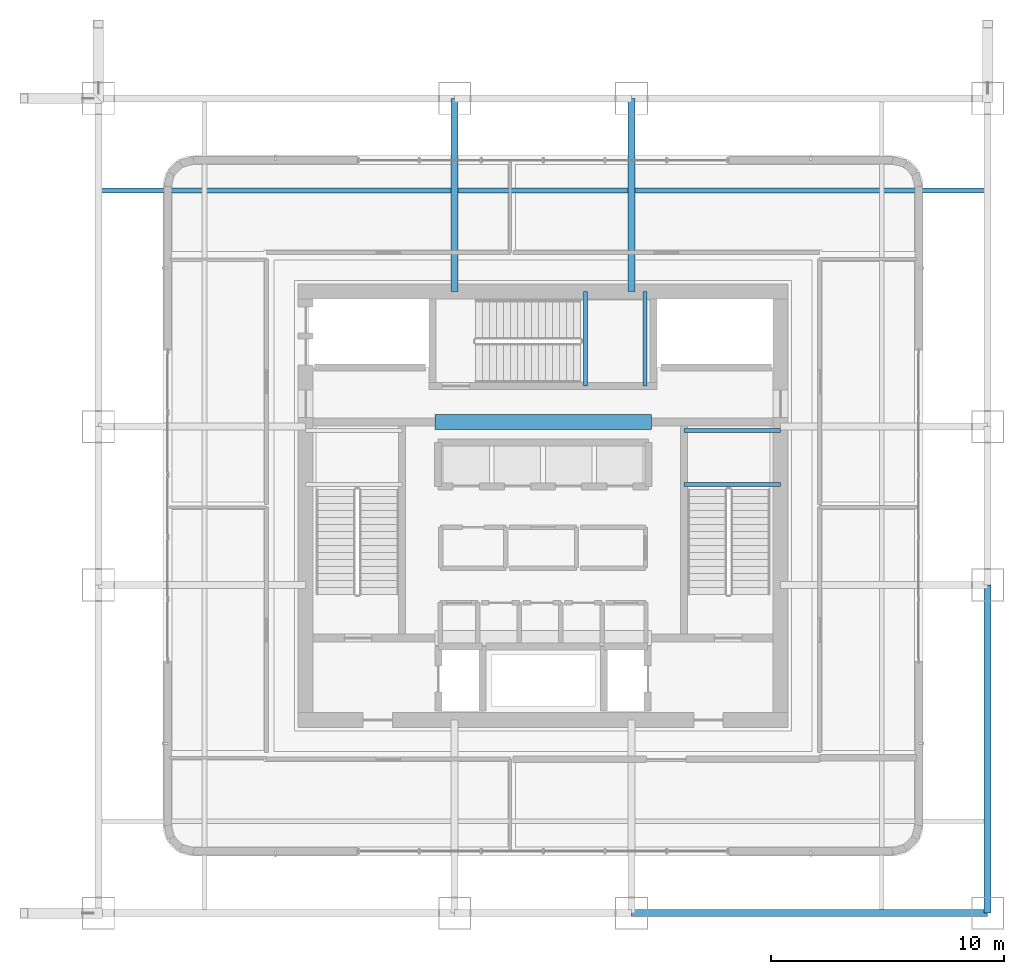
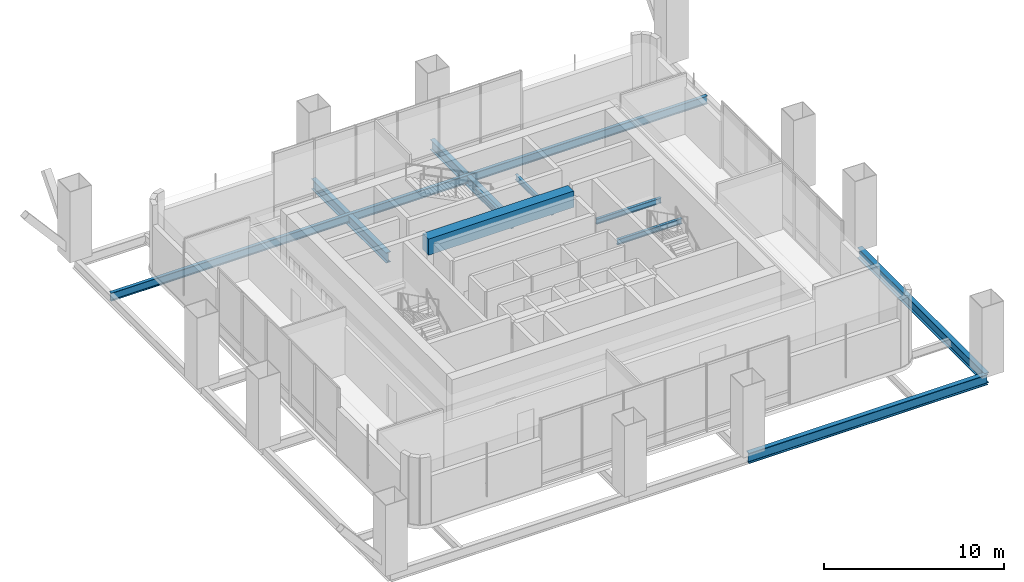
# One storey, part 9 of 30: 10 beams.
"""IFC4 building model written with IfcOpenShell, lengths in metres."""

from ifc_helpers import new_model, si_unit, direction, frame, origin, origin_2d, place, context, subcontext, project, spatial, rectangle, i_section, extrude, material, material_profile, profile_set, type_object, element, save


model = new_model("IFC4")

# Units and contexts
model_context = context("Model", 3, precision=1e-05, world=origin(), true_north=direction((0.0, 1.0)))
body_context = subcontext(model_context, "Body", "Model", "MODEL_VIEW")
ifc_project = project(units=[si_unit("LENGTHUNIT", "METRE"), si_unit("AREAUNIT", "SQUARE_METRE"), si_unit("VOLUMEUNIT", "CUBIC_METRE"), si_unit("PLANEANGLEUNIT", "RADIAN"), si_unit("MASSUNIT", "GRAM", prefix="KILO")], contexts=[model_context])

# Site, building, storey
site_placement = place(None, origin())
site = spatial("IfcSite", under=ifc_project, at=site_placement, CompositionType="ELEMENT")
building_placement = place(site_placement, origin())
building = spatial("IfcBuilding", under=site, at=building_placement, Name="Punatoya Terracotta Tower", CompositionType="ELEMENT")
storey_placement = place(building_placement, frame((0.0, 0.0, 135.0)))
storey = spatial("IfcBuildingStorey", under=building, at=storey_placement, Name="L31", CompositionType="ELEMENT", Elevation=135.0)

# Beams
ifc_material_1 = material(Name="Steel S355", Category="steel")
ifc_material_profile_1 = material_profile(ifc_material_1, i_section(OverallWidth=0.300048828125, OverallDepth=0.699951171875, WebThickness=0.01708984375, FlangeThickness=0.031982421875, FilletRadius=0.01806640625, at=origin_2d()))
ifc_profile_set_1 = profile_set([ifc_material_profile_1], Name="Steel S355")
beam_type_1 = type_object("IfcBeamType", Name="BM-PRI-700", PredefinedType="BEAM", material=ifc_profile_set_1)
beam_1_placement = place(storey_placement, frame((3.800048828125, -17.5, -0.610107421875), z_axis=(1.0, 0.0, 0.0), x_axis=(0.0, 1.0, 0.0)))
element("IfcBeam", 1, at=beam_1_placement, inside=storey, type_object=beam_type_1, Name="BM-L31-RG-S3", PredefinedType="BEAM", context=body_context, shape_type="SweptSolid", body=[
    extrude(i_section(OverallWidth=0.300048828125, OverallDepth=0.699951171875, WebThickness=0.01708984375, FlangeThickness=0.031982421875, FilletRadius=0.01806640625, at=origin_2d()), origin(), (0.0, 0.0, 1.0), 15.300048828125),
])
beam_2_placement = place(storey_placement, frame((19.10009765625, -17.5, -0.610107421875), z_axis=(0.0, 1.0, 0.0), x_axis=(-1.0, 0.0, 0.0)))
element("IfcBeam", 2, at=beam_2_placement, inside=storey, type_object=beam_type_1, Name="BM-L31-RG-E1", PredefinedType="BEAM", context=body_context, shape_type="SweptSolid", body=[
    extrude(i_section(OverallWidth=0.300048828125, OverallDepth=0.699951171875, WebThickness=0.01708984375, FlangeThickness=0.031982421875, FilletRadius=0.01806640625, at=origin_2d()), origin(), (0.0, 0.0, 1.0), 14.10009765625),
])
for number, where, z_axis, x_axis, name in (
    (3, (-3.800048828125, 9.199951171875, -0.610107421875), (0.0, 1.0, 0.0), (-1.0, 0.0, 0.0), "BM-L31-PR-N2"),
    (4, (3.800048828125, 9.199951171875, -0.610107421875), (0.0, 1.0, 0.0), (-1.0, 0.0, 0.0), "BM-L31-PR-N3"),
):
    element("IfcBeam", number, at=place(storey_placement, frame(where, z_axis=z_axis, x_axis=x_axis)), inside=storey, type_object=beam_type_1, Name=name, PredefinedType="BEAM", context=body_context, shape_type="SweptSolid", body=[
        extrude(i_section(OverallWidth=0.300048828125, OverallDepth=0.699951171875, WebThickness=0.01708984375, FlangeThickness=0.031982421875, FilletRadius=0.01806640625, at=origin_2d()), origin(), (0.0, 0.0, 1.0), 8.300048828125),
    ])
ifc_material_2 = material(Name="Concrete C60/75", Category="concrete")
ifc_material_profile_2 = material_profile(ifc_material_2, rectangle(XDim=0.64990234375, YDim=1.10009765625, at=origin_2d()))
ifc_profile_set_2 = profile_set([ifc_material_profile_2], Name="Concrete C60/75")
beam_type_2 = type_object("IfcBeamType", Name="BM-RC-1100", PredefinedType="LINTEL", material=ifc_profile_set_2)
beam_3_placement = place(storey_placement, frame((-4.64990234375, 3.60009765625, 3.969970703125), z_axis=(1.0, 0.0, 0.0), x_axis=(0.0, 1.0, 0.0)))
element("IfcBeam", 5, at=beam_3_placement, inside=storey, type_object=beam_type_2, Name="L31 Core Coupling Lintel CNW", PredefinedType="LINTEL", context=body_context, shape_type="SweptSolid", body=[
    extrude(rectangle(XDim=0.64990234375, YDim=1.10009765625, at=origin_2d()), origin(), (0.0, 0.0, 1.0), 9.2998046875),
])
ifc_material_profile_3 = material_profile(ifc_material_1, i_section(OverallWidth=0.169921875, OverallDepth=0.360107421875, WebThickness=0.008056640625, FlangeThickness=0.0126953125, FilletRadius=0.01806640625, at=origin_2d()))
ifc_profile_set_3 = profile_set([ifc_material_profile_3], Name="Steel S355")
beam_type_3 = type_object("IfcBeamType", Name="BM-SEC-360", PredefinedType="JOIST", material=ifc_profile_set_3)
for number, where, z_axis, x_axis, name in (
    (6, (6.050048828125, 0.919921875, 2.02001953125), (1.0, 0.0, 0.0), (0.0, 1.0, 0.0), "BM-L31-ST-2-LD1A"),
    (7, (6.050048828125, 3.22998046875, 2.02001953125), (1.0, 0.0, 0.0), (0.0, 1.0, 0.0), "BM-L31-ST-2-LD1B"),
):
    element("IfcBeam", number, at=place(storey_placement, frame(where, z_axis=z_axis, x_axis=x_axis)), inside=storey, type_object=beam_type_3, Name=name, PredefinedType="JOIST", context=body_context, shape_type="SweptSolid", body=[
        extrude(i_section(OverallWidth=0.169921875, OverallDepth=0.360107421875, WebThickness=0.008056640625, FlangeThickness=0.0126953125, FilletRadius=0.01806640625, at=origin_2d()), origin(), (0.0, 0.0, 1.0), 4.14990234375),
    ])
for number, where, z_axis, x_axis, name in (
    (8, (1.820068359375, 5.14990234375, 2.02001953125), (0.0, 1.0, 0.0), (-1.0, 0.0, 0.0), "BM-L31-ST-3-LD1A"),
    (9, (4.3798828125, 5.14990234375, 2.02001953125), (0.0, 1.0, 0.0), (-1.0, 0.0, 0.0), "BM-L31-ST-3-LD1B"),
):
    element("IfcBeam", number, at=place(storey_placement, frame(where, z_axis=z_axis, x_axis=x_axis)), inside=storey, type_object=beam_type_3, Name=name, PredefinedType="JOIST", context=body_context, shape_type="SweptSolid", body=[
        extrude(i_section(OverallWidth=0.169921875, OverallDepth=0.360107421875, WebThickness=0.008056640625, FlangeThickness=0.0126953125, FilletRadius=0.01806640625, at=origin_2d()), origin(), (0.0, 0.0, 1.0), 4.050048828125),
    ])
ifc_material_profile_4 = material_profile(ifc_material_1, i_section(OverallWidth=0.2099609375, OverallDepth=0.550048828125, WebThickness=0.010986328125, FlangeThickness=0.01708984375, FilletRadius=0.01806640625, at=origin_2d()))
ifc_profile_set_4 = profile_set([ifc_material_profile_4], Name="Steel S355")
beam_type_4 = type_object("IfcBeamType", Name="BM-SPN-550", PredefinedType="SPANDREL", material=ifc_profile_set_4)
beam_4_placement = place(storey_placement, frame((-19.10009765625, 13.550048828125, -0.534912109375), z_axis=(1.0, 0.0, 0.0), x_axis=(0.0, 1.0, 0.0)))
element("IfcBeam", 10, at=beam_4_placement, inside=storey, type_object=beam_type_4, Name="BM-L31-NCK-N", PredefinedType="SPANDREL", context=body_context, shape_type="SweptSolid", body=[
    extrude(i_section(OverallWidth=0.2099609375, OverallDepth=0.550048828125, WebThickness=0.010986328125, FlangeThickness=0.01708984375, FilletRadius=0.01806640625, at=origin_2d()), origin(), (0.0, 0.0, 1.0), 38.2001953125),
])

save(model, "model.ifc")
